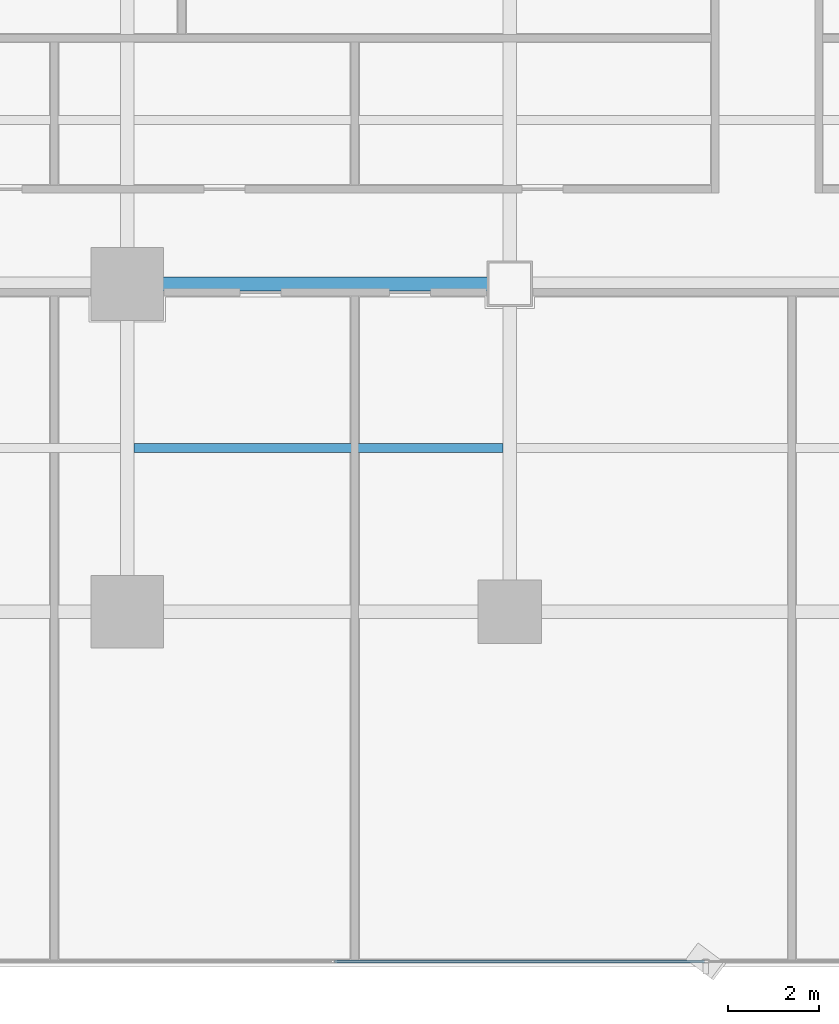
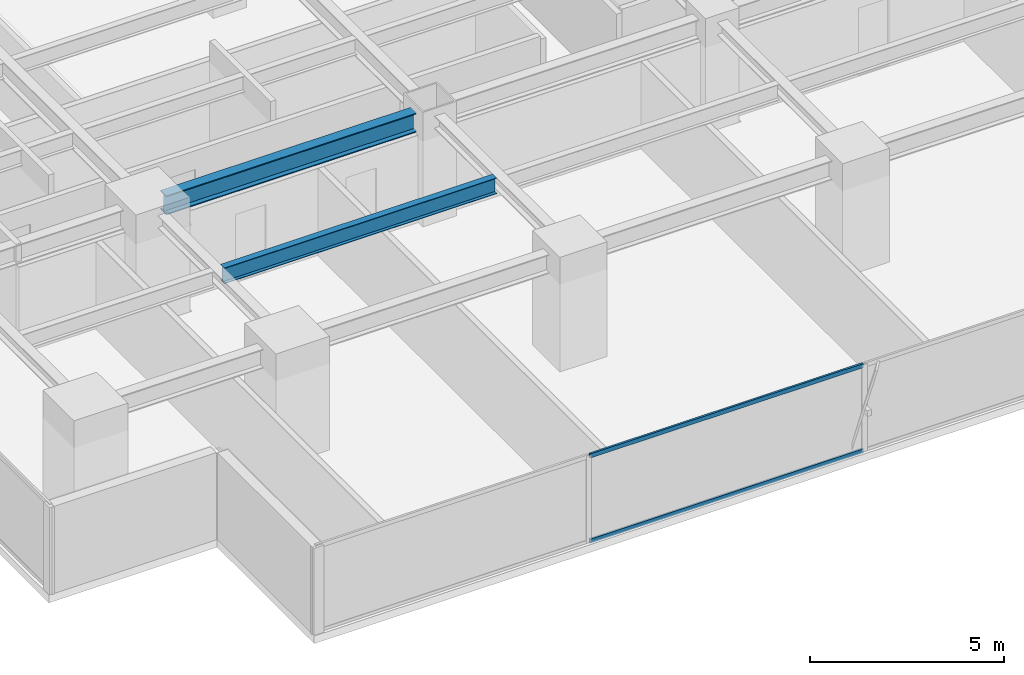
# One storey, part 5 of 37: 2 beams, 2 members, 1 element without a shape of its own.
"""IFC4 building model written with IfcOpenShell, lengths in metres."""

from ifc_helpers import new_model, si_unit, direction, frame, origin, origin_2d, place, context, subcontext, project, spatial, hollow_rectangle, i_section, extrude, source, transform, mapped, material, layer, layer_set, material_profile, profile_set, type_object, element, aggregate, save


model = new_model("IFC4")

# Units and contexts
model_context = context("Model", 3, precision=1e-05, world=origin(), true_north=direction((0.0, 1.0)))
body_context = subcontext(model_context, "Body", "Model", "MODEL_VIEW")
ifc_project = project(units=[si_unit("LENGTHUNIT", "METRE"), si_unit("AREAUNIT", "SQUARE_METRE"), si_unit("VOLUMEUNIT", "CUBIC_METRE"), si_unit("PLANEANGLEUNIT", "RADIAN"), si_unit("MASSUNIT", "GRAM", prefix="KILO")], contexts=[model_context])

# Site, building, storey
site_placement = place(None, origin())
site = spatial("IfcSite", under=ifc_project, at=site_placement, CompositionType="ELEMENT")
building_placement = place(site_placement, origin())
building = spatial("IfcBuilding", under=site, at=building_placement, Name="Sumidabori Civic Tower", CompositionType="ELEMENT")
storey_placement = place(building_placement, frame((0.0, 0.0, 110.0)))
storey = spatial("IfcBuildingStorey", under=building, at=storey_placement, Name="L28", CompositionType="ELEMENT", Elevation=110.0)

# Beams
ifc_material_1 = material(Name="Steel SN490", Category="steel")
ifc_material_profile_1 = material_profile(ifc_material_1, i_section(OverallWidth=0.300048828125, OverallDepth=0.60009765625, WebThickness=0.015380859375, FlangeThickness=0.030029296875, at=origin_2d()), Name="HE 600 B")
ifc_profile_set_1 = profile_set([ifc_material_profile_1], Name="Steel SN490")
beam_type_1 = type_object("IfcBeamType", Name="BM-GIRD-600", PredefinedType="BEAM", material=ifc_profile_set_1)
shared_shape_1 = source(origin(), body_context, "Body", "SweptSolid", [
    extrude(i_section(OverallWidth=0.300048828125, OverallDepth=0.60009765625, WebThickness=0.015380859375, FlangeThickness=0.030029296875, at=origin_2d()), origin(), (0.0, 0.0, 1.0), 7.440185546875),
])
beam_1_placement = place(storey_placement, frame((-16.320068359375, -10.800048828125, 3.06005859375), z_axis=(1.0, 0.0, 0.0), x_axis=(0.0, 1.0, 0.0)))
element("IfcBeam", 1, at=beam_1_placement, inside=storey, type_object=beam_type_1, Name="Primary Girder L28 GX-08", PredefinedType="BEAM", context=body_context, shape_type="MappedRepresentation", body=[
    mapped(shared_shape_1, transform((0.0, 0.0, 0.0), x_axis=(1.0, 0.0, 0.0), y_axis=(0.0, 1.0, 0.0), z_axis=(0.0, 0.0, 1.0), scale=1.0)),
])
ifc_material_profile_2 = material_profile(ifc_material_1, i_section(OverallWidth=0.199951171875, OverallDepth=0.5, WebThickness=0.01025390625, FlangeThickness=0.01611328125, at=origin_2d()), Name="IPE 500")
ifc_profile_set_2 = profile_set([ifc_material_profile_2], Name="Steel SN490")
beam_type_2 = type_object("IfcBeamType", Name="BM-JST-500", PredefinedType="JOIST", material=ifc_profile_set_2)
shared_shape_2 = source(origin(), body_context, "Body", "SweptSolid", [
    extrude(i_section(OverallWidth=0.199951171875, OverallDepth=0.5, WebThickness=0.01025390625, FlangeThickness=0.01611328125, at=origin_2d()), origin(), (0.0, 0.0, 1.0), 8.099853515625),
])
beam_2_placement = place(storey_placement, frame((-16.64990234375, -14.39990234375, 3.110107421875), z_axis=(1.0, 0.0, 0.0), x_axis=(0.0, 1.0, 0.0)))
element("IfcBeam", 2, at=beam_2_placement, inside=storey, type_object=beam_type_2, Name="South Bay Floor Joist L28 JSTS-55", PredefinedType="JOIST", context=body_context, shape_type="MappedRepresentation", body=[
    mapped(shared_shape_2, transform((0.0, 0.0, 0.0), x_axis=(1.0, 0.0, 0.0), y_axis=(0.0, 1.0, 0.0), z_axis=(0.0, 0.0, 1.0), scale=1.0)),
])

# Curtain wall, members
ifc_material_2 = material(Name="Anodised Bronze Aluminium AW-6063-T6", Category="aluminium")
ifc_layer = layer(ifc_material_2, 0.179931640625, Name="Anodised Bronze Aluminium AW-6063-T6")
ifc_layer_set = layer_set([ifc_layer], Name="Anodised Bronze Aluminium AW-6063-T6")
curtain_wall_type = type_object("IfcCurtainWallType", Name="CW-SYS-3", PredefinedType="NOTDEFINED", material=ifc_layer_set)
curtain_wall_placement = place(storey_placement, origin())
curtain_wall = element("IfcCurtainWall", 3, at=curtain_wall_placement, inside=storey, type_object=curtain_wall_type, Name="Curtain Wall CW:L28:R01", PredefinedType="NOTDEFINED")
ifc_material_profile_3 = material_profile(ifc_material_2, hollow_rectangle(XDim=0.06005859375, YDim=0.1298828125, WallThickness=0.0048828125, at=origin_2d()), Name="ALU TRANSOM 130x60")
ifc_profile_set_3 = profile_set([ifc_material_profile_3], Name="Anodised Bronze Aluminium AW-6063-T6")
member_type = type_object("IfcMemberType", Name="CW-TRN-130", PredefinedType="USERDEFINED", material=ifc_profile_set_3)
shared_shape_3 = source(origin(), body_context, "Body", "SweptSolid", [
    extrude(hollow_rectangle(XDim=0.06005859375, YDim=0.1298828125, WallThickness=0.0048828125, at=origin_2d()), origin(), (0.0, 0.0, 1.0), 8.123046875),
])
member_1_placement = place(storey_placement, frame((-12.24951171875, -25.679931640625, 0.030029296875), z_axis=(1.0, 0.0, 0.0), x_axis=(0.0, 1.0, 0.0)))
member_1 = element("IfcMember", 4, at=member_1_placement, type_object=member_type, Name="CW-3 transom 2.1", ObjectType="TRANSOM", PredefinedType="USERDEFINED", context=body_context, shape_type="MappedRepresentation", body=[
    mapped(shared_shape_3, transform((0.0, 0.0, 0.0), x_axis=(1.0, 0.0, 0.0), y_axis=(0.0, 1.0, 0.0), z_axis=(0.0, 0.0, 1.0), scale=1.0)),
])
member_2_placement = place(storey_placement, frame((-12.24951171875, -25.679931640625, 2.7099609375), z_axis=(1.0, 0.0, 0.0), x_axis=(0.0, 1.0, 0.0)))
member_2 = element("IfcMember", 5, at=member_2_placement, type_object=member_type, Name="CW-3 transom 2.2", ObjectType="TRANSOM", PredefinedType="USERDEFINED", context=body_context, shape_type="MappedRepresentation", body=[
    mapped(shared_shape_3, transform((0.0, 0.0, 0.0), x_axis=(1.0, 0.0, 0.0), y_axis=(0.0, 1.0, 0.0), z_axis=(0.0, 0.0, 1.0), scale=1.0)),
])
aggregate(curtain_wall, [member_1, member_2])

save(model, "model.ifc")
